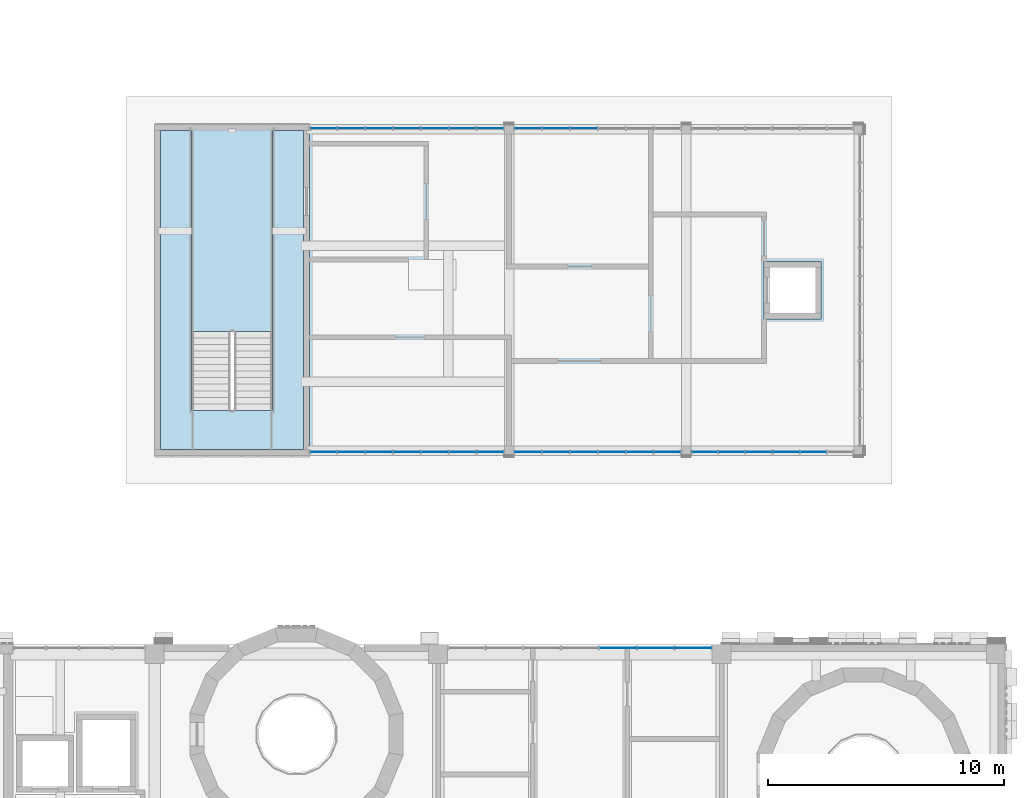
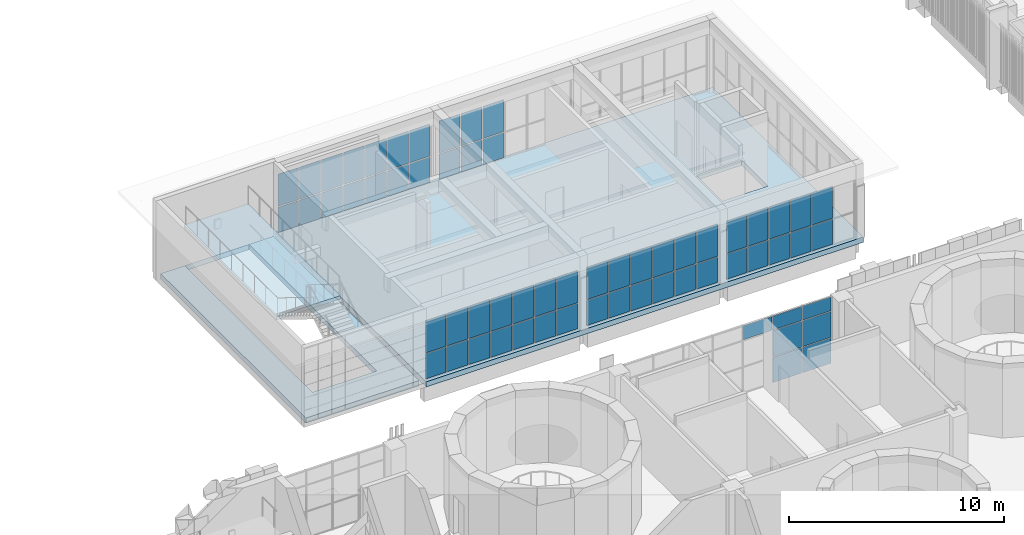
# One storey, part 41 of 92: 63 plates, 3 slabs, 7 elements without a shape of their own.
"""IFC4 building model written with IfcOpenShell, lengths in metres."""

from ifc_helpers import new_model, si_unit, direction, frame, origin, origin_2d, place, context, subcontext, project, spatial, polyline, rectangle, outline, extrude, material, layer, layer_set, type_object, element, aggregate, save


model = new_model("IFC4")

# Units and contexts
model_context = context("Model", 3, precision=1e-05, world=origin(), true_north=direction((0.0, 1.0)))
body_context = subcontext(model_context, "Body", "Model", "MODEL_VIEW")
ifc_project = project(units=[si_unit("LENGTHUNIT", "METRE"), si_unit("AREAUNIT", "SQUARE_METRE"), si_unit("VOLUMEUNIT", "CUBIC_METRE"), si_unit("PLANEANGLEUNIT", "RADIAN"), si_unit("MASSUNIT", "GRAM", prefix="KILO")], contexts=[model_context])

# Site, building, storey
site_placement = place(None, origin())
site = spatial("IfcSite", under=ifc_project, at=site_placement, CompositionType="ELEMENT")
building_placement = place(site_placement, origin())
building = spatial("IfcBuilding", under=site, at=building_placement, Name="Sun Court Science Centre", CompositionType="ELEMENT")
storey_placement = place(building_placement, frame((0.0, 0.0, 11.25)))
storey = spatial("IfcBuildingStorey", under=building, at=storey_placement, Name="L02", CompositionType="ELEMENT", Elevation=11.25)

# Curtain wall, plates
ifc_material_1 = material(Name="Aluminium EN AW-6063 T6", Category="aluminium")
curtain_wall_type_1 = type_object("IfcCurtainWallType", Name="Court gallery curtain wall 1500", PredefinedType="NOTDEFINED", material=ifc_material_1)
curtain_wall_1_placement = place(storey_placement, origin())
curtain_wall_1 = element("IfcCurtainWall", 1, at=curtain_wall_1_placement, inside=storey, type_object=curtain_wall_type_1, Name="Curtain wall V2 N L02 02", PredefinedType="NOTDEFINED")
ifc_material_2 = material(Name="Insulated glass", Category="glass")
ifc_layer_1 = layer(ifc_material_2, 0.031982421875)
ifc_layer_set_1 = layer_set([ifc_layer_1], Name="Insulated glass")
plate_type_1 = type_object("IfcPlateType", Name="Foyer insulated glazing panel 8-16-8", PredefinedType="CURTAIN_PANEL", material=ifc_layer_set_1)
plate_1_placement = place(storey_placement, frame((57.199951171875, 27.85009765625, 0.0498046875), z_axis=(0.0, 0.0, 1.0), x_axis=(1.0, 0.0, 0.0)))
plate_1 = element("IfcPlate", 2, at=plate_1_placement, type_object=plate_type_1, Name="CW5-06 panel 6.1", PredefinedType="CURTAIN_PANEL", context=body_context, shape_type="SweptSolid", body=[
    extrude(rectangle(XDim=1.550048828125, YDim=0.031982421875, at=origin_2d()), origin(), (0.0, 0.0, 1.0), 1.425048828125),
])
plate_2_placement = place(storey_placement, frame((58.78759765625, 27.85009765625, 0.0498046875), z_axis=(0.0, 0.0, 1.0), x_axis=(1.0, 0.0, 0.0)))
plate_2 = element("IfcPlate", 3, at=plate_2_placement, type_object=plate_type_1, Name="CW5-06 panel 7.1", PredefinedType="CURTAIN_PANEL", context=body_context, shape_type="SweptSolid", body=[
    extrude(rectangle(XDim=1.52490234375, YDim=0.031982421875, at=origin_2d()), origin(), (0.0, 0.0, 1.0), 1.425048828125),
])
plate_3_placement = place(storey_placement, frame((57.199951171875, 27.85009765625, 1.52490234375), z_axis=(0.0, 0.0, 1.0), x_axis=(1.0, 0.0, 0.0)))
plate_3 = element("IfcPlate", 4, at=plate_3_placement, type_object=plate_type_1, Name="CW5-06 panel 6.2", PredefinedType="CURTAIN_PANEL", context=body_context, shape_type="SweptSolid", body=[
    extrude(rectangle(XDim=1.550048828125, YDim=0.031982421875, at=origin_2d()), origin(), (0.0, 0.0, 1.0), 1.449951171875),
])
plate_4_placement = place(storey_placement, frame((58.78759765625, 27.85009765625, 1.52490234375), z_axis=(0.0, 0.0, 1.0), x_axis=(1.0, 0.0, 0.0)))
plate_4 = element("IfcPlate", 5, at=plate_4_placement, type_object=plate_type_1, Name="CW5-06 panel 7.2", PredefinedType="CURTAIN_PANEL", context=body_context, shape_type="SweptSolid", body=[
    extrude(rectangle(XDim=1.52490234375, YDim=0.031982421875, at=origin_2d()), origin(), (0.0, 0.0, 1.0), 1.449951171875),
])
plate_5_placement = place(storey_placement, frame((55.60009765625, 27.85009765625, 3.02490234375), z_axis=(0.0, 0.0, 1.0), x_axis=(1.0, 0.0, 0.0)))
plate_5 = element("IfcPlate", 6, at=plate_5_placement, type_object=plate_type_1, Name="CW5-06 panel 5.3", PredefinedType="CURTAIN_PANEL", context=body_context, shape_type="SweptSolid", body=[
    extrude(rectangle(XDim=1.550048828125, YDim=0.031982421875, at=origin_2d()), origin(), (0.0, 0.0, 1.0), 0.784912109375),
])
plate_6_placement = place(storey_placement, frame((57.199951171875, 27.85009765625, 3.02490234375), z_axis=(0.0, 0.0, 1.0), x_axis=(1.0, 0.0, 0.0)))
plate_6 = element("IfcPlate", 7, at=plate_6_placement, type_object=plate_type_1, Name="CW5-06 panel 6.3", PredefinedType="CURTAIN_PANEL", context=body_context, shape_type="SweptSolid", body=[
    extrude(rectangle(XDim=1.550048828125, YDim=0.031982421875, at=origin_2d()), origin(), (0.0, 0.0, 1.0), 0.784912109375),
])
plate_7_placement = place(storey_placement, frame((58.78759765625, 27.85009765625, 3.02490234375), z_axis=(0.0, 0.0, 1.0), x_axis=(1.0, 0.0, 0.0)))
plate_7 = element("IfcPlate", 8, at=plate_7_placement, type_object=plate_type_1, Name="CW5-06 panel 7.3", PredefinedType="CURTAIN_PANEL", context=body_context, shape_type="SweptSolid", body=[
    extrude(rectangle(XDim=1.52490234375, YDim=0.031982421875, at=origin_2d()), origin(), (0.0, 0.0, 1.0), 0.784912109375),
])
aggregate(curtain_wall_1, [plate_1, plate_2, plate_3, plate_4, plate_5, plate_6, plate_7])

ifc_material_3 = material(Name="Aluminium EN AW-6063 T6", Category="aluminium")
curtain_wall_type_2 = type_object("IfcCurtainWallType", Name="Pavilion curtain wall 1200", PredefinedType="NOTDEFINED", material=ifc_material_3)
curtain_wall_2_placement = place(storey_placement, origin())
curtain_wall_2 = element("IfcCurtainWall", 9, at=curtain_wall_2_placement, inside=storey, type_object=curtain_wall_type_2, Name="Curtain wall V5 S L02 01", PredefinedType="NOTDEFINED")
ifc_material_4 = material(Name="Toughened safety glass", Category="glass")
ifc_layer_2 = layer(ifc_material_4, 0.0107421875)
ifc_layer_set_2 = layer_set([ifc_layer_2], Name="Toughened safety glass")
plate_type_2 = type_object("IfcPlateType", Name="Pavilion toughened glazing panel 10.8", PredefinedType="CURTAIN_PANEL", material=ifc_layer_set_2)
plate_8_placement = place(storey_placement, frame((59.28759765625, 36.14990234375, 0.0498046875), z_axis=(0.0, 0.0, 1.0), x_axis=(-1.0, 0.0, 0.0)))
plate_8 = element("IfcPlate", 10, at=plate_8_placement, type_object=plate_type_2, Name="CW3-08 panel 6.1", PredefinedType="CURTAIN_PANEL", context=body_context, shape_type="SweptSolid", body=[
    extrude(rectangle(XDim=1.074951171875, YDim=0.0107421875, at=origin_2d()), origin(), (0.0, 0.0, 1.0), 1.425048828125),
])
plate_9_placement = place(storey_placement, frame((60.425048828125, 36.14990234375, 0.0498046875), z_axis=(0.0, 0.0, 1.0), x_axis=(-1.0, 0.0, 0.0)))
plate_9 = element("IfcPlate", 11, at=plate_9_placement, type_object=plate_type_2, Name="CW3-08 panel 5.1", PredefinedType="CURTAIN_PANEL", context=body_context, shape_type="SweptSolid", body=[
    extrude(rectangle(XDim=1.10009765625, YDim=0.0107421875, at=origin_2d()), origin(), (0.0, 0.0, 1.0), 1.425048828125),
])
plate_10_placement = place(storey_placement, frame((61.574951171875, 36.14990234375, 0.0498046875), z_axis=(0.0, 0.0, 1.0), x_axis=(-1.0, 0.0, 0.0)))
plate_10 = element("IfcPlate", 12, at=plate_10_placement, type_object=plate_type_2, Name="CW3-08 panel 4.1", PredefinedType="CURTAIN_PANEL", context=body_context, shape_type="SweptSolid", body=[
    extrude(rectangle(XDim=1.10009765625, YDim=0.0107421875, at=origin_2d()), origin(), (0.0, 0.0, 1.0), 1.425048828125),
])
plate_11_placement = place(storey_placement, frame((62.72509765625, 36.14990234375, 0.0498046875), z_axis=(0.0, 0.0, 1.0), x_axis=(-1.0, 0.0, 0.0)))
plate_11 = element("IfcPlate", 13, at=plate_11_placement, type_object=plate_type_2, Name="CW3-08 panel 3.1", PredefinedType="CURTAIN_PANEL", context=body_context, shape_type="SweptSolid", body=[
    extrude(rectangle(XDim=1.10009765625, YDim=0.0107421875, at=origin_2d()), origin(), (0.0, 0.0, 1.0), 1.425048828125),
])
plate_12_placement = place(storey_placement, frame((63.875, 36.14990234375, 0.0498046875), z_axis=(0.0, 0.0, 1.0), x_axis=(-1.0, 0.0, 0.0)))
plate_12 = element("IfcPlate", 14, at=plate_12_placement, type_object=plate_type_2, Name="CW3-08 panel 2.1", PredefinedType="CURTAIN_PANEL", context=body_context, shape_type="SweptSolid", body=[
    extrude(rectangle(XDim=1.10009765625, YDim=0.0107421875, at=origin_2d()), origin(), (0.0, 0.0, 1.0), 1.425048828125),
])
plate_13_placement = place(storey_placement, frame((59.28759765625, 36.14990234375, 1.52490234375), z_axis=(0.0, 0.0, 1.0), x_axis=(-1.0, 0.0, 0.0)))
plate_13 = element("IfcPlate", 15, at=plate_13_placement, type_object=plate_type_2, Name="CW3-08 panel 6.2", PredefinedType="CURTAIN_PANEL", context=body_context, shape_type="SweptSolid", body=[
    extrude(rectangle(XDim=1.074951171875, YDim=0.0107421875, at=origin_2d()), origin(), (0.0, 0.0, 1.0), 1.824951171875),
])
plate_14_placement = place(storey_placement, frame((60.425048828125, 36.14990234375, 1.52490234375), z_axis=(0.0, 0.0, 1.0), x_axis=(-1.0, 0.0, 0.0)))
plate_14 = element("IfcPlate", 16, at=plate_14_placement, type_object=plate_type_2, Name="CW3-08 panel 5.2", PredefinedType="CURTAIN_PANEL", context=body_context, shape_type="SweptSolid", body=[
    extrude(rectangle(XDim=1.10009765625, YDim=0.0107421875, at=origin_2d()), origin(), (0.0, 0.0, 1.0), 1.824951171875),
])
plate_15_placement = place(storey_placement, frame((61.574951171875, 36.14990234375, 1.52490234375), z_axis=(0.0, 0.0, 1.0), x_axis=(-1.0, 0.0, 0.0)))
plate_15 = element("IfcPlate", 17, at=plate_15_placement, type_object=plate_type_2, Name="CW3-08 panel 4.2", PredefinedType="CURTAIN_PANEL", context=body_context, shape_type="SweptSolid", body=[
    extrude(rectangle(XDim=1.10009765625, YDim=0.0107421875, at=origin_2d()), origin(), (0.0, 0.0, 1.0), 1.824951171875),
])
plate_16_placement = place(storey_placement, frame((62.72509765625, 36.14990234375, 1.52490234375), z_axis=(0.0, 0.0, 1.0), x_axis=(-1.0, 0.0, 0.0)))
plate_16 = element("IfcPlate", 18, at=plate_16_placement, type_object=plate_type_2, Name="CW3-08 panel 3.2", PredefinedType="CURTAIN_PANEL", context=body_context, shape_type="SweptSolid", body=[
    extrude(rectangle(XDim=1.10009765625, YDim=0.0107421875, at=origin_2d()), origin(), (0.0, 0.0, 1.0), 1.824951171875),
])
plate_17_placement = place(storey_placement, frame((63.875, 36.14990234375, 1.52490234375), z_axis=(0.0, 0.0, 1.0), x_axis=(-1.0, 0.0, 0.0)))
plate_17 = element("IfcPlate", 19, at=plate_17_placement, type_object=plate_type_2, Name="CW3-08 panel 2.2", PredefinedType="CURTAIN_PANEL", context=body_context, shape_type="SweptSolid", body=[
    extrude(rectangle(XDim=1.10009765625, YDim=0.0107421875, at=origin_2d()), origin(), (0.0, 0.0, 1.0), 1.824951171875),
])
aggregate(curtain_wall_2, [plate_8, plate_9, plate_10, plate_11, plate_12, plate_13, plate_14, plate_15, plate_16, plate_17])

curtain_wall_3_placement = place(storey_placement, origin())
curtain_wall_3 = element("IfcCurtainWall", 20, at=curtain_wall_3_placement, inside=storey, type_object=curtain_wall_type_2, Name="Curtain wall V5 S L02 02", PredefinedType="NOTDEFINED")
plate_18_placement = place(storey_placement, frame((51.80419921875, 36.14990234375, 0.0498046875), z_axis=(0.0, 0.0, 1.0), x_axis=(-1.0, 0.0, 0.0)))
plate_18 = element("IfcPlate", 21, at=plate_18_placement, type_object=plate_type_2, Name="CW3-09 panel 6.1", PredefinedType="CURTAIN_PANEL", context=body_context, shape_type="SweptSolid", body=[
    extrude(rectangle(XDim=1.1083984375, YDim=0.0107421875, at=origin_2d()), origin(), (0.0, 0.0, 1.0), 1.425048828125),
])
plate_19_placement = place(storey_placement, frame((52.97509765625, 36.14990234375, 0.0498046875), z_axis=(0.0, 0.0, 1.0), x_axis=(-1.0, 0.0, 0.0)))
plate_19 = element("IfcPlate", 22, at=plate_19_placement, type_object=plate_type_2, Name="CW3-09 panel 5.1", PredefinedType="CURTAIN_PANEL", context=body_context, shape_type="SweptSolid", body=[
    extrude(rectangle(XDim=1.13330078125, YDim=0.0107421875, at=origin_2d()), origin(), (0.0, 0.0, 1.0), 1.425048828125),
])
plate_20_placement = place(storey_placement, frame((54.158447265625, 36.14990234375, 0.0498046875), z_axis=(0.0, 0.0, 1.0), x_axis=(-1.0, 0.0, 0.0)))
plate_20 = element("IfcPlate", 23, at=plate_20_placement, type_object=plate_type_2, Name="CW3-09 panel 4.1", PredefinedType="CURTAIN_PANEL", context=body_context, shape_type="SweptSolid", body=[
    extrude(rectangle(XDim=1.13330078125, YDim=0.0107421875, at=origin_2d()), origin(), (0.0, 0.0, 1.0), 1.425048828125),
])
plate_21_placement = place(storey_placement, frame((55.341552734375, 36.14990234375, 0.0498046875), z_axis=(0.0, 0.0, 1.0), x_axis=(-1.0, 0.0, 0.0)))
plate_21 = element("IfcPlate", 24, at=plate_21_placement, type_object=plate_type_2, Name="CW3-09 panel 3.1", PredefinedType="CURTAIN_PANEL", context=body_context, shape_type="SweptSolid", body=[
    extrude(rectangle(XDim=1.13330078125, YDim=0.0107421875, at=origin_2d()), origin(), (0.0, 0.0, 1.0), 1.425048828125),
])
plate_22_placement = place(storey_placement, frame((56.52490234375, 36.14990234375, 0.0498046875), z_axis=(0.0, 0.0, 1.0), x_axis=(-1.0, 0.0, 0.0)))
plate_22 = element("IfcPlate", 25, at=plate_22_placement, type_object=plate_type_2, Name="CW3-09 panel 2.1", PredefinedType="CURTAIN_PANEL", context=body_context, shape_type="SweptSolid", body=[
    extrude(rectangle(XDim=1.13330078125, YDim=0.0107421875, at=origin_2d()), origin(), (0.0, 0.0, 1.0), 1.425048828125),
])
plate_23_placement = place(storey_placement, frame((57.69580078125, 36.14990234375, 0.0498046875), z_axis=(0.0, 0.0, 1.0), x_axis=(-1.0, 0.0, 0.0)))
plate_23 = element("IfcPlate", 26, at=plate_23_placement, type_object=plate_type_2, Name="CW3-09 panel 1.1", PredefinedType="CURTAIN_PANEL", context=body_context, shape_type="SweptSolid", body=[
    extrude(rectangle(XDim=1.1083984375, YDim=0.0107421875, at=origin_2d()), origin(), (0.0, 0.0, 1.0), 1.425048828125),
])
plate_24_placement = place(storey_placement, frame((51.80419921875, 36.14990234375, 1.52490234375), z_axis=(0.0, 0.0, 1.0), x_axis=(-1.0, 0.0, 0.0)))
plate_24 = element("IfcPlate", 27, at=plate_24_placement, type_object=plate_type_2, Name="CW3-09 panel 6.2", PredefinedType="CURTAIN_PANEL", context=body_context, shape_type="SweptSolid", body=[
    extrude(rectangle(XDim=1.1083984375, YDim=0.0107421875, at=origin_2d()), origin(), (0.0, 0.0, 1.0), 1.824951171875),
])
plate_25_placement = place(storey_placement, frame((52.97509765625, 36.14990234375, 1.52490234375), z_axis=(0.0, 0.0, 1.0), x_axis=(-1.0, 0.0, 0.0)))
plate_25 = element("IfcPlate", 28, at=plate_25_placement, type_object=plate_type_2, Name="CW3-09 panel 5.2", PredefinedType="CURTAIN_PANEL", context=body_context, shape_type="SweptSolid", body=[
    extrude(rectangle(XDim=1.13330078125, YDim=0.0107421875, at=origin_2d()), origin(), (0.0, 0.0, 1.0), 1.824951171875),
])
plate_26_placement = place(storey_placement, frame((54.158447265625, 36.14990234375, 1.52490234375), z_axis=(0.0, 0.0, 1.0), x_axis=(-1.0, 0.0, 0.0)))
plate_26 = element("IfcPlate", 29, at=plate_26_placement, type_object=plate_type_2, Name="CW3-09 panel 4.2", PredefinedType="CURTAIN_PANEL", context=body_context, shape_type="SweptSolid", body=[
    extrude(rectangle(XDim=1.13330078125, YDim=0.0107421875, at=origin_2d()), origin(), (0.0, 0.0, 1.0), 1.824951171875),
])
plate_27_placement = place(storey_placement, frame((55.341552734375, 36.14990234375, 1.52490234375), z_axis=(0.0, 0.0, 1.0), x_axis=(-1.0, 0.0, 0.0)))
plate_27 = element("IfcPlate", 30, at=plate_27_placement, type_object=plate_type_2, Name="CW3-09 panel 3.2", PredefinedType="CURTAIN_PANEL", context=body_context, shape_type="SweptSolid", body=[
    extrude(rectangle(XDim=1.13330078125, YDim=0.0107421875, at=origin_2d()), origin(), (0.0, 0.0, 1.0), 1.824951171875),
])
plate_28_placement = place(storey_placement, frame((56.52490234375, 36.14990234375, 1.52490234375), z_axis=(0.0, 0.0, 1.0), x_axis=(-1.0, 0.0, 0.0)))
plate_28 = element("IfcPlate", 31, at=plate_28_placement, type_object=plate_type_2, Name="CW3-09 panel 2.2", PredefinedType="CURTAIN_PANEL", context=body_context, shape_type="SweptSolid", body=[
    extrude(rectangle(XDim=1.13330078125, YDim=0.0107421875, at=origin_2d()), origin(), (0.0, 0.0, 1.0), 1.824951171875),
])
plate_29_placement = place(storey_placement, frame((57.69580078125, 36.14990234375, 1.52490234375), z_axis=(0.0, 0.0, 1.0), x_axis=(-1.0, 0.0, 0.0)))
plate_29 = element("IfcPlate", 32, at=plate_29_placement, type_object=plate_type_2, Name="CW3-09 panel 1.2", PredefinedType="CURTAIN_PANEL", context=body_context, shape_type="SweptSolid", body=[
    extrude(rectangle(XDim=1.1083984375, YDim=0.0107421875, at=origin_2d()), origin(), (0.0, 0.0, 1.0), 1.824951171875),
])
aggregate(curtain_wall_3, [plate_18, plate_19, plate_20, plate_21, plate_22, plate_23, plate_24, plate_25, plate_26, plate_27, plate_28, plate_29])

curtain_wall_4_placement = place(storey_placement, origin())
curtain_wall_4 = element("IfcCurtainWall", 33, at=curtain_wall_4_placement, inside=storey, type_object=curtain_wall_type_2, Name="Curtain wall V5 S L02 03", PredefinedType="NOTDEFINED")
plate_30_placement = place(storey_placement, frame((43.15185546875, 36.14990234375, 0.0498046875), z_axis=(0.0, 0.0, 1.0), x_axis=(-1.0, 0.0, 0.0)))
plate_30 = element("IfcPlate", 34, at=plate_30_placement, type_object=plate_type_2, Name="CW3-10 panel 7.1", PredefinedType="CURTAIN_PANEL", context=body_context, shape_type="SweptSolid", body=[
    extrude(rectangle(XDim=1.103515625, YDim=0.0107421875, at=origin_2d()), origin(), (0.0, 0.0, 1.0), 1.425048828125),
])
plate_31_placement = place(storey_placement, frame((44.31787109375, 36.14990234375, 0.0498046875), z_axis=(0.0, 0.0, 1.0), x_axis=(-1.0, 0.0, 0.0)))
plate_31 = element("IfcPlate", 35, at=plate_31_placement, type_object=plate_type_2, Name="CW3-10 panel 6.1", PredefinedType="CURTAIN_PANEL", context=body_context, shape_type="SweptSolid", body=[
    extrude(rectangle(XDim=1.128662109375, YDim=0.0107421875, at=origin_2d()), origin(), (0.0, 0.0, 1.0), 1.425048828125),
])
plate_32_placement = place(storey_placement, frame((45.496337890625, 36.14990234375, 0.0498046875), z_axis=(0.0, 0.0, 1.0), x_axis=(-1.0, 0.0, 0.0)))
plate_32 = element("IfcPlate", 36, at=plate_32_placement, type_object=plate_type_2, Name="CW3-10 panel 5.1", PredefinedType="CURTAIN_PANEL", context=body_context, shape_type="SweptSolid", body=[
    extrude(rectangle(XDim=1.128662109375, YDim=0.0107421875, at=origin_2d()), origin(), (0.0, 0.0, 1.0), 1.425048828125),
])
plate_33_placement = place(storey_placement, frame((46.675048828125, 36.14990234375, 0.0498046875), z_axis=(0.0, 0.0, 1.0), x_axis=(-1.0, 0.0, 0.0)))
plate_33 = element("IfcPlate", 37, at=plate_33_placement, type_object=plate_type_2, Name="CW3-10 panel 4.1", PredefinedType="CURTAIN_PANEL", context=body_context, shape_type="SweptSolid", body=[
    extrude(rectangle(XDim=1.128662109375, YDim=0.0107421875, at=origin_2d()), origin(), (0.0, 0.0, 1.0), 1.425048828125),
])
plate_34_placement = place(storey_placement, frame((47.853515625, 36.14990234375, 0.0498046875), z_axis=(0.0, 0.0, 1.0), x_axis=(-1.0, 0.0, 0.0)))
plate_34 = element("IfcPlate", 38, at=plate_34_placement, type_object=plate_type_2, Name="CW3-10 panel 3.1", PredefinedType="CURTAIN_PANEL", context=body_context, shape_type="SweptSolid", body=[
    extrude(rectangle(XDim=1.128662109375, YDim=0.0107421875, at=origin_2d()), origin(), (0.0, 0.0, 1.0), 1.425048828125),
])
plate_35_placement = place(storey_placement, frame((49.0322265625, 36.14990234375, 0.0498046875), z_axis=(0.0, 0.0, 1.0), x_axis=(-1.0, 0.0, 0.0)))
plate_35 = element("IfcPlate", 39, at=plate_35_placement, type_object=plate_type_2, Name="CW3-10 panel 2.1", PredefinedType="CURTAIN_PANEL", context=body_context, shape_type="SweptSolid", body=[
    extrude(rectangle(XDim=1.128662109375, YDim=0.0107421875, at=origin_2d()), origin(), (0.0, 0.0, 1.0), 1.425048828125),
])
plate_36_placement = place(storey_placement, frame((50.1982421875, 36.14990234375, 0.0498046875), z_axis=(0.0, 0.0, 1.0), x_axis=(-1.0, 0.0, 0.0)))
plate_36 = element("IfcPlate", 40, at=plate_36_placement, type_object=plate_type_2, Name="CW3-10 panel 1.1", PredefinedType="CURTAIN_PANEL", context=body_context, shape_type="SweptSolid", body=[
    extrude(rectangle(XDim=1.103515625, YDim=0.0107421875, at=origin_2d()), origin(), (0.0, 0.0, 1.0), 1.425048828125),
])
plate_37_placement = place(storey_placement, frame((43.15185546875, 36.14990234375, 1.52490234375), z_axis=(0.0, 0.0, 1.0), x_axis=(-1.0, 0.0, 0.0)))
plate_37 = element("IfcPlate", 41, at=plate_37_placement, type_object=plate_type_2, Name="CW3-10 panel 7.2", PredefinedType="CURTAIN_PANEL", context=body_context, shape_type="SweptSolid", body=[
    extrude(rectangle(XDim=1.103515625, YDim=0.0107421875, at=origin_2d()), origin(), (0.0, 0.0, 1.0), 1.824951171875),
])
plate_38_placement = place(storey_placement, frame((44.31787109375, 36.14990234375, 1.52490234375), z_axis=(0.0, 0.0, 1.0), x_axis=(-1.0, 0.0, 0.0)))
plate_38 = element("IfcPlate", 42, at=plate_38_placement, type_object=plate_type_2, Name="CW3-10 panel 6.2", PredefinedType="CURTAIN_PANEL", context=body_context, shape_type="SweptSolid", body=[
    extrude(rectangle(XDim=1.128662109375, YDim=0.0107421875, at=origin_2d()), origin(), (0.0, 0.0, 1.0), 1.824951171875),
])
plate_39_placement = place(storey_placement, frame((45.496337890625, 36.14990234375, 1.52490234375), z_axis=(0.0, 0.0, 1.0), x_axis=(-1.0, 0.0, 0.0)))
plate_39 = element("IfcPlate", 43, at=plate_39_placement, type_object=plate_type_2, Name="CW3-10 panel 5.2", PredefinedType="CURTAIN_PANEL", context=body_context, shape_type="SweptSolid", body=[
    extrude(rectangle(XDim=1.128662109375, YDim=0.0107421875, at=origin_2d()), origin(), (0.0, 0.0, 1.0), 1.824951171875),
])
plate_40_placement = place(storey_placement, frame((46.675048828125, 36.14990234375, 1.52490234375), z_axis=(0.0, 0.0, 1.0), x_axis=(-1.0, 0.0, 0.0)))
plate_40 = element("IfcPlate", 44, at=plate_40_placement, type_object=plate_type_2, Name="CW3-10 panel 4.2", PredefinedType="CURTAIN_PANEL", context=body_context, shape_type="SweptSolid", body=[
    extrude(rectangle(XDim=1.128662109375, YDim=0.0107421875, at=origin_2d()), origin(), (0.0, 0.0, 1.0), 1.824951171875),
])
plate_41_placement = place(storey_placement, frame((47.853515625, 36.14990234375, 1.52490234375), z_axis=(0.0, 0.0, 1.0), x_axis=(-1.0, 0.0, 0.0)))
plate_41 = element("IfcPlate", 45, at=plate_41_placement, type_object=plate_type_2, Name="CW3-10 panel 3.2", PredefinedType="CURTAIN_PANEL", context=body_context, shape_type="SweptSolid", body=[
    extrude(rectangle(XDim=1.128662109375, YDim=0.0107421875, at=origin_2d()), origin(), (0.0, 0.0, 1.0), 1.824951171875),
])
plate_42_placement = place(storey_placement, frame((49.0322265625, 36.14990234375, 1.52490234375), z_axis=(0.0, 0.0, 1.0), x_axis=(-1.0, 0.0, 0.0)))
plate_42 = element("IfcPlate", 46, at=plate_42_placement, type_object=plate_type_2, Name="CW3-10 panel 2.2", PredefinedType="CURTAIN_PANEL", context=body_context, shape_type="SweptSolid", body=[
    extrude(rectangle(XDim=1.128662109375, YDim=0.0107421875, at=origin_2d()), origin(), (0.0, 0.0, 1.0), 1.824951171875),
])
plate_43_placement = place(storey_placement, frame((50.1982421875, 36.14990234375, 1.52490234375), z_axis=(0.0, 0.0, 1.0), x_axis=(-1.0, 0.0, 0.0)))
plate_43 = element("IfcPlate", 47, at=plate_43_placement, type_object=plate_type_2, Name="CW3-10 panel 1.2", PredefinedType="CURTAIN_PANEL", context=body_context, shape_type="SweptSolid", body=[
    extrude(rectangle(XDim=1.103515625, YDim=0.0107421875, at=origin_2d()), origin(), (0.0, 0.0, 1.0), 1.824951171875),
])
aggregate(curtain_wall_4, [plate_30, plate_31, plate_32, plate_33, plate_34, plate_35, plate_36, plate_37, plate_38, plate_39, plate_40, plate_41, plate_42, plate_43])

curtain_wall_5_placement = place(storey_placement, origin())
curtain_wall_5 = element("IfcCurtainWall", 48, at=curtain_wall_5_placement, inside=storey, type_object=curtain_wall_type_2, Name="Curtain wall V5 N L02 01", PredefinedType="NOTDEFINED")
plate_44_placement = place(storey_placement, frame((43.15185546875, 49.85009765625, 0.0498046875), z_axis=(0.0, 0.0, 1.0), x_axis=(1.0, 0.0, 0.0)))
plate_44 = element("IfcPlate", 49, at=plate_44_placement, type_object=plate_type_2, Name="CW3-17 panel 1.1", PredefinedType="CURTAIN_PANEL", context=body_context, shape_type="SweptSolid", body=[
    extrude(rectangle(XDim=1.103515625, YDim=0.0107421875, at=origin_2d()), origin(), (0.0, 0.0, 1.0), 1.425048828125),
])
plate_45_placement = place(storey_placement, frame((44.31787109375, 49.85009765625, 0.0498046875), z_axis=(0.0, 0.0, 1.0), x_axis=(1.0, 0.0, 0.0)))
plate_45 = element("IfcPlate", 50, at=plate_45_placement, type_object=plate_type_2, Name="CW3-17 panel 2.1", PredefinedType="CURTAIN_PANEL", context=body_context, shape_type="SweptSolid", body=[
    extrude(rectangle(XDim=1.128662109375, YDim=0.0107421875, at=origin_2d()), origin(), (0.0, 0.0, 1.0), 1.425048828125),
])
plate_46_placement = place(storey_placement, frame((45.496337890625, 49.85009765625, 0.0498046875), z_axis=(0.0, 0.0, 1.0), x_axis=(1.0, 0.0, 0.0)))
plate_46 = element("IfcPlate", 51, at=plate_46_placement, type_object=plate_type_2, Name="CW3-17 panel 3.1", PredefinedType="CURTAIN_PANEL", context=body_context, shape_type="SweptSolid", body=[
    extrude(rectangle(XDim=1.128662109375, YDim=0.0107421875, at=origin_2d()), origin(), (0.0, 0.0, 1.0), 1.425048828125),
])
plate_47_placement = place(storey_placement, frame((46.675048828125, 49.85009765625, 0.0498046875), z_axis=(0.0, 0.0, 1.0), x_axis=(1.0, 0.0, 0.0)))
plate_47 = element("IfcPlate", 52, at=plate_47_placement, type_object=plate_type_2, Name="CW3-17 panel 4.1", PredefinedType="CURTAIN_PANEL", context=body_context, shape_type="SweptSolid", body=[
    extrude(rectangle(XDim=1.128662109375, YDim=0.0107421875, at=origin_2d()), origin(), (0.0, 0.0, 1.0), 1.425048828125),
])
plate_48_placement = place(storey_placement, frame((47.853515625, 49.85009765625, 0.0498046875), z_axis=(0.0, 0.0, 1.0), x_axis=(1.0, 0.0, 0.0)))
plate_48 = element("IfcPlate", 53, at=plate_48_placement, type_object=plate_type_2, Name="CW3-17 panel 5.1", PredefinedType="CURTAIN_PANEL", context=body_context, shape_type="SweptSolid", body=[
    extrude(rectangle(XDim=1.128662109375, YDim=0.0107421875, at=origin_2d()), origin(), (0.0, 0.0, 1.0), 1.425048828125),
])
plate_49_placement = place(storey_placement, frame((49.0322265625, 49.85009765625, 0.0498046875), z_axis=(0.0, 0.0, 1.0), x_axis=(1.0, 0.0, 0.0)))
plate_49 = element("IfcPlate", 54, at=plate_49_placement, type_object=plate_type_2, Name="CW3-17 panel 6.1", PredefinedType="CURTAIN_PANEL", context=body_context, shape_type="SweptSolid", body=[
    extrude(rectangle(XDim=1.128662109375, YDim=0.0107421875, at=origin_2d()), origin(), (0.0, 0.0, 1.0), 1.425048828125),
])
plate_50_placement = place(storey_placement, frame((50.1982421875, 49.85009765625, 0.0498046875), z_axis=(0.0, 0.0, 1.0), x_axis=(1.0, 0.0, 0.0)))
plate_50 = element("IfcPlate", 55, at=plate_50_placement, type_object=plate_type_2, Name="CW3-17 panel 7.1", PredefinedType="CURTAIN_PANEL", context=body_context, shape_type="SweptSolid", body=[
    extrude(rectangle(XDim=1.103515625, YDim=0.0107421875, at=origin_2d()), origin(), (0.0, 0.0, 1.0), 1.425048828125),
])
plate_51_placement = place(storey_placement, frame((43.15185546875, 49.85009765625, 1.52490234375), z_axis=(0.0, 0.0, 1.0), x_axis=(1.0, 0.0, 0.0)))
plate_51 = element("IfcPlate", 56, at=plate_51_placement, type_object=plate_type_2, Name="CW3-17 panel 1.2", PredefinedType="CURTAIN_PANEL", context=body_context, shape_type="SweptSolid", body=[
    extrude(rectangle(XDim=1.103515625, YDim=0.0107421875, at=origin_2d()), origin(), (0.0, 0.0, 1.0), 1.824951171875),
])
plate_52_placement = place(storey_placement, frame((44.31787109375, 49.85009765625, 1.52490234375), z_axis=(0.0, 0.0, 1.0), x_axis=(1.0, 0.0, 0.0)))
plate_52 = element("IfcPlate", 57, at=plate_52_placement, type_object=plate_type_2, Name="CW3-17 panel 2.2", PredefinedType="CURTAIN_PANEL", context=body_context, shape_type="SweptSolid", body=[
    extrude(rectangle(XDim=1.128662109375, YDim=0.0107421875, at=origin_2d()), origin(), (0.0, 0.0, 1.0), 1.824951171875),
])
plate_53_placement = place(storey_placement, frame((45.496337890625, 49.85009765625, 1.52490234375), z_axis=(0.0, 0.0, 1.0), x_axis=(1.0, 0.0, 0.0)))
plate_53 = element("IfcPlate", 58, at=plate_53_placement, type_object=plate_type_2, Name="CW3-17 panel 3.2", PredefinedType="CURTAIN_PANEL", context=body_context, shape_type="SweptSolid", body=[
    extrude(rectangle(XDim=1.128662109375, YDim=0.0107421875, at=origin_2d()), origin(), (0.0, 0.0, 1.0), 1.824951171875),
])
plate_54_placement = place(storey_placement, frame((46.675048828125, 49.85009765625, 1.52490234375), z_axis=(0.0, 0.0, 1.0), x_axis=(1.0, 0.0, 0.0)))
plate_54 = element("IfcPlate", 59, at=plate_54_placement, type_object=plate_type_2, Name="CW3-17 panel 4.2", PredefinedType="CURTAIN_PANEL", context=body_context, shape_type="SweptSolid", body=[
    extrude(rectangle(XDim=1.128662109375, YDim=0.0107421875, at=origin_2d()), origin(), (0.0, 0.0, 1.0), 1.824951171875),
])
plate_55_placement = place(storey_placement, frame((47.853515625, 49.85009765625, 1.52490234375), z_axis=(0.0, 0.0, 1.0), x_axis=(1.0, 0.0, 0.0)))
plate_55 = element("IfcPlate", 60, at=plate_55_placement, type_object=plate_type_2, Name="CW3-17 panel 5.2", PredefinedType="CURTAIN_PANEL", context=body_context, shape_type="SweptSolid", body=[
    extrude(rectangle(XDim=1.128662109375, YDim=0.0107421875, at=origin_2d()), origin(), (0.0, 0.0, 1.0), 1.824951171875),
])
plate_56_placement = place(storey_placement, frame((49.0322265625, 49.85009765625, 1.52490234375), z_axis=(0.0, 0.0, 1.0), x_axis=(1.0, 0.0, 0.0)))
plate_56 = element("IfcPlate", 61, at=plate_56_placement, type_object=plate_type_2, Name="CW3-17 panel 6.2", PredefinedType="CURTAIN_PANEL", context=body_context, shape_type="SweptSolid", body=[
    extrude(rectangle(XDim=1.128662109375, YDim=0.0107421875, at=origin_2d()), origin(), (0.0, 0.0, 1.0), 1.824951171875),
])
plate_57_placement = place(storey_placement, frame((50.1982421875, 49.85009765625, 1.52490234375), z_axis=(0.0, 0.0, 1.0), x_axis=(1.0, 0.0, 0.0)))
plate_57 = element("IfcPlate", 62, at=plate_57_placement, type_object=plate_type_2, Name="CW3-17 panel 7.2", PredefinedType="CURTAIN_PANEL", context=body_context, shape_type="SweptSolid", body=[
    extrude(rectangle(XDim=1.103515625, YDim=0.0107421875, at=origin_2d()), origin(), (0.0, 0.0, 1.0), 1.824951171875),
])
aggregate(curtain_wall_5, [plate_44, plate_45, plate_46, plate_47, plate_48, plate_49, plate_50, plate_51, plate_52, plate_53, plate_54, plate_55, plate_56, plate_57])

curtain_wall_6_placement = place(storey_placement, origin())
curtain_wall_6 = element("IfcCurtainWall", 63, at=curtain_wall_6_placement, inside=storey, type_object=curtain_wall_type_2, Name="Curtain wall V5 N L02 02", PredefinedType="NOTDEFINED")
plate_58_placement = place(storey_placement, frame((51.80419921875, 49.85009765625, 0.0498046875), z_axis=(0.0, 0.0, 1.0), x_axis=(1.0, 0.0, 0.0)))
plate_58 = element("IfcPlate", 64, at=plate_58_placement, type_object=plate_type_2, Name="CW3-18 panel 1.1", PredefinedType="CURTAIN_PANEL", context=body_context, shape_type="SweptSolid", body=[
    extrude(rectangle(XDim=1.1083984375, YDim=0.0107421875, at=origin_2d()), origin(), (0.0, 0.0, 1.0), 1.425048828125),
])
plate_59_placement = place(storey_placement, frame((52.97509765625, 49.85009765625, 0.0498046875), z_axis=(0.0, 0.0, 1.0), x_axis=(1.0, 0.0, 0.0)))
plate_59 = element("IfcPlate", 65, at=plate_59_placement, type_object=plate_type_2, Name="CW3-18 panel 2.1", PredefinedType="CURTAIN_PANEL", context=body_context, shape_type="SweptSolid", body=[
    extrude(rectangle(XDim=1.13330078125, YDim=0.0107421875, at=origin_2d()), origin(), (0.0, 0.0, 1.0), 1.425048828125),
])
plate_60_placement = place(storey_placement, frame((54.158447265625, 49.85009765625, 0.0498046875), z_axis=(0.0, 0.0, 1.0), x_axis=(1.0, 0.0, 0.0)))
plate_60 = element("IfcPlate", 66, at=plate_60_placement, type_object=plate_type_2, Name="CW3-18 panel 3.1", PredefinedType="CURTAIN_PANEL", context=body_context, shape_type="SweptSolid", body=[
    extrude(rectangle(XDim=1.13330078125, YDim=0.0107421875, at=origin_2d()), origin(), (0.0, 0.0, 1.0), 1.425048828125),
])
plate_61_placement = place(storey_placement, frame((51.80419921875, 49.85009765625, 1.52490234375), z_axis=(0.0, 0.0, 1.0), x_axis=(1.0, 0.0, 0.0)))
plate_61 = element("IfcPlate", 67, at=plate_61_placement, type_object=plate_type_2, Name="CW3-18 panel 1.2", PredefinedType="CURTAIN_PANEL", context=body_context, shape_type="SweptSolid", body=[
    extrude(rectangle(XDim=1.1083984375, YDim=0.0107421875, at=origin_2d()), origin(), (0.0, 0.0, 1.0), 1.824951171875),
])
plate_62_placement = place(storey_placement, frame((52.97509765625, 49.85009765625, 1.52490234375), z_axis=(0.0, 0.0, 1.0), x_axis=(1.0, 0.0, 0.0)))
plate_62 = element("IfcPlate", 68, at=plate_62_placement, type_object=plate_type_2, Name="CW3-18 panel 2.2", PredefinedType="CURTAIN_PANEL", context=body_context, shape_type="SweptSolid", body=[
    extrude(rectangle(XDim=1.13330078125, YDim=0.0107421875, at=origin_2d()), origin(), (0.0, 0.0, 1.0), 1.824951171875),
])
plate_63_placement = place(storey_placement, frame((54.158447265625, 49.85009765625, 1.52490234375), z_axis=(0.0, 0.0, 1.0), x_axis=(1.0, 0.0, 0.0)))
plate_63 = element("IfcPlate", 69, at=plate_63_placement, type_object=plate_type_2, Name="CW3-18 panel 3.2", PredefinedType="CURTAIN_PANEL", context=body_context, shape_type="SweptSolid", body=[
    extrude(rectangle(XDim=1.13330078125, YDim=0.0107421875, at=origin_2d()), origin(), (0.0, 0.0, 1.0), 1.824951171875),
])
aggregate(curtain_wall_6, [plate_58, plate_59, plate_60, plate_61, plate_62, plate_63])

# Slabs
ifc_material_5 = material(Name="Concrete C25/30", Category="concrete")
ifc_layer_3 = layer(ifc_material_5, 0.300048828125)
ifc_layer_set_3 = layer_set([ifc_layer_3], Name="Concrete C25/30")
slab_type_1 = type_object("IfcSlabType", Name="RC floor slab 300", PredefinedType="FLOOR", material=ifc_layer_set_3)
slab_1_placement = place(storey_placement, frame((0.0, 0.0, -0.300048828125)))
element("IfcSlab", 70, at=slab_1_placement, inside=storey, type_object=slab_type_1, Name="Floor slab L02", PredefinedType="FLOOR", context=body_context, shape_type="SweptSolid", body=[
    extrude(outline(polyline([(66.0, 50.0), (42.550048828125, 50.0), (42.550048828125, 36.0), (66.0, 36.0), (66.0, 50.0)]), holes=[polyline([(61.78759765625, 41.78759765625), (61.78759765625, 44.21240234375), (64.21240234375, 44.21240234375), (64.21240234375, 41.78759765625), (61.78759765625, 41.78759765625)])]), origin(), (0.0, 0.0, 1.0), 0.300048828125),
])
slab_2_placement = place(storey_placement, frame((0.0, 0.0, -0.300048828125)))
element("IfcSlab", 71, at=slab_2_placement, inside=storey, type_object=slab_type_1, Name="Stair SP1 landing slab L02", PredefinedType="FLOOR", context=body_context, shape_type="SweptSolid", body=[
    extrude(outline(polyline([(36.25, 49.75), (36.25, 36.25), (42.300048828125, 36.25), (42.300048828125, 49.75), (36.25, 49.75)]), holes=[polyline([(40.998046875, 49.7451171875), (40.998046875, 37.903076171875), (37.552001953125, 37.903076171875), (37.552001953125, 49.7451171875), (40.998046875, 49.7451171875)])]), origin(), (0.0, 0.0, 1.0), 0.300048828125),
])

# Stair, slab
ifc_material_6 = material(Name="Concrete C25/30", Category="concrete")
stair_type = type_object("IfcStairType", Name="Stair 1500 enclosed half-turn", PredefinedType="HALF_TURN_STAIR", material=ifc_material_6)
stair_placement = place(storey_placement, origin())
stair = element("IfcStair", 72, at=stair_placement, inside=storey, type_object=stair_type, Name="L02 Stair SP1", PredefinedType="HALF_TURN_STAIR")
ifc_material_7 = material(Name="Concrete C25/30", Category="concrete")
ifc_layer_4 = layer(ifc_material_7, 0.199951171875)
ifc_layer_set_4 = layer_set([ifc_layer_4], Name="Concrete C25/30")
slab_type_2 = type_object("IfcSlabType", Name="Stair landing 200", PredefinedType="LANDING", material=ifc_layer_set_4)
slab_3_placement = place(storey_placement, frame((0.0, 0.0, 2.050048828125)))
slab_3 = element("IfcSlab", 73, at=slab_3_placement, type_object=slab_type_2, Name="SP1 landing 1", PredefinedType="LANDING", context=body_context, shape_type="SweptSolid", body=[
    extrude(outline(polyline([(40.998046875, 41.25390625), (40.998046875, 49.85009765625), (37.552001953125, 49.85009765625), (37.552001953125, 41.25390625), (40.998046875, 41.25390625)])), origin(), (0.0, 0.0, 1.0), 0.199951171875),
])
aggregate(stair, [slab_3])

save(model, "model.ifc")
